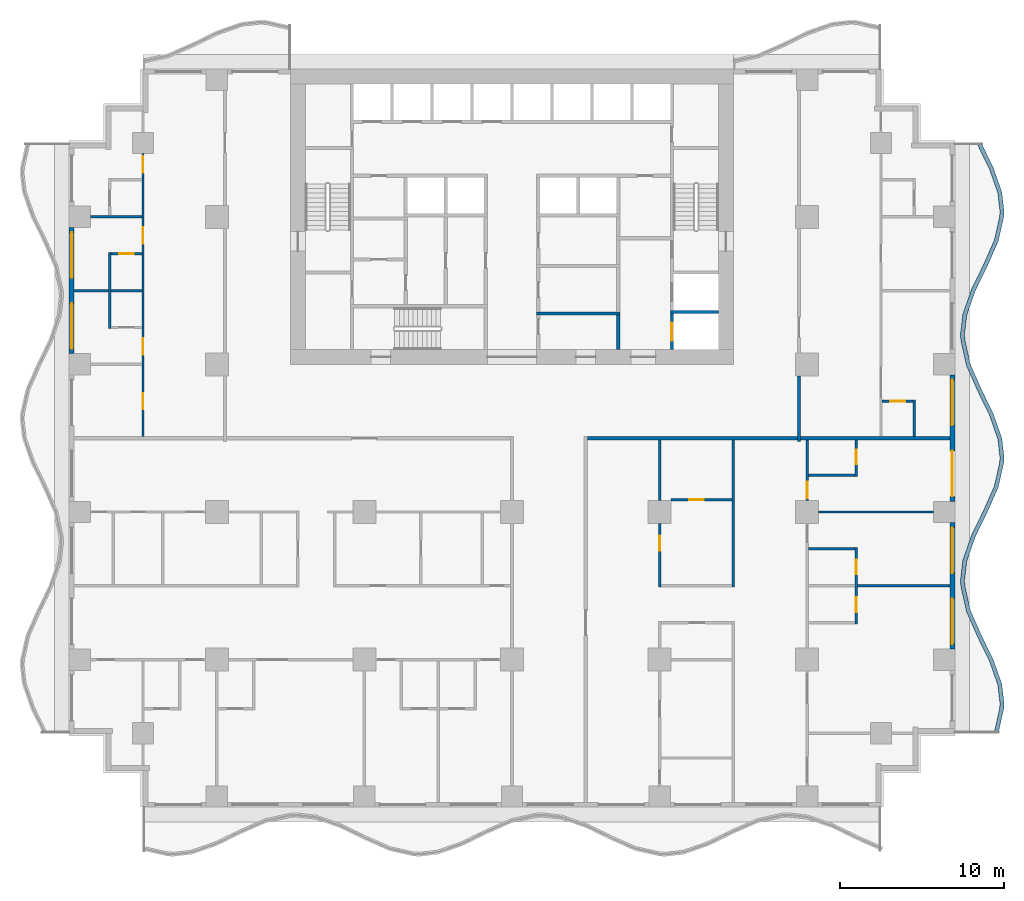
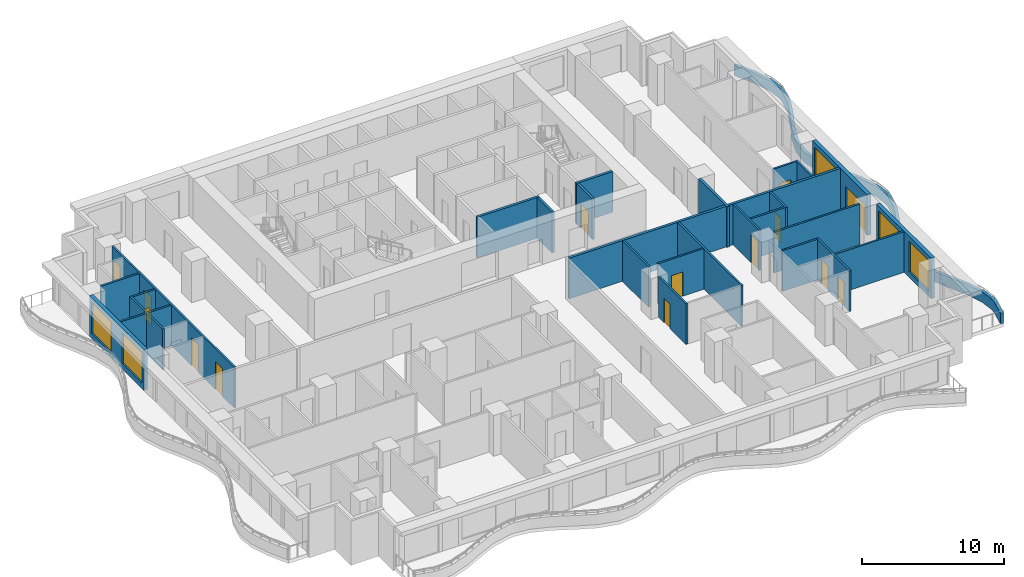
# One storey, part 4 of 14: 30 walls, 14 doors, 5 windows, 19 openings.
"""IFC4 building model written with IfcOpenShell, lengths in metres."""

from ifc_helpers import new_model, si_unit, direction, frame, frame_2d, origin, place, context, subcontext, project, spatial, polyline, rectangle, outline, extrude, material, layer, layer_set, type_object, element, fill, save


model = new_model("IFC4")

# Units and contexts
model_context = context("Model", 3, precision=1e-05, world=origin(), true_north=direction((0.0, 1.0)))
body_context = subcontext(model_context, "Body", "Model", "MODEL_VIEW")
ifc_project = project(units=[si_unit("LENGTHUNIT", "METRE"), si_unit("AREAUNIT", "SQUARE_METRE"), si_unit("VOLUMEUNIT", "CUBIC_METRE"), si_unit("PLANEANGLEUNIT", "RADIAN"), si_unit("MASSUNIT", "GRAM", prefix="KILO")], contexts=[model_context])

# Site, building, storey
site_placement = place(None, origin())
site = spatial("IfcSite", under=ifc_project, at=site_placement, CompositionType="ELEMENT")
building_placement = place(site_placement, origin())
building = spatial("IfcBuilding", under=site, at=building_placement, Name="Orbiselva Terraces", CompositionType="ELEMENT")
storey_placement = place(building_placement, frame((0.0, 0.0, 80.8)))
storey = spatial("IfcBuildingStorey", under=building, at=storey_placement, Name="L20", CompositionType="ELEMENT", Elevation=80.8)

# Walls
ifc_material_1 = material(Name="Concrete C60/75", Category="concrete")
ifc_layer_1 = layer(ifc_material_1, 0.2)
ifc_layer_set_1 = layer_set([ifc_layer_1], Name="Concrete C60/75")
wall_type_1 = type_object("IfcWallType", Name="CORE-WALL-SHEAR-200", PredefinedType="SHEAR", material=ifc_layer_set_1)
wall_1_placement = place(storey_placement, frame((1.5, 7.6, 0.0), z_axis=(0.0, 0.0, 1.0), x_axis=(1.0, 0.0, 0.0)))
element("IfcWall", 1, at=wall_1_placement, inside=storey, type_object=wall_type_1, Name="L20 core wall 30", PredefinedType="SHEAR", context=body_context, shape_type="SweptSolid", body=[
    extrude(rectangle(XDim=5.075, YDim=0.2, at=frame_2d((2.5375, 0.0))), origin(), (0.0, 0.0, 1.0), 3.5),
])
wall_2_placement = place(storey_placement, frame((6.475, 5.4, 0.0), z_axis=(0.0, 0.0, 1.0), x_axis=(0.0, 1.0, 0.0)))
element("IfcWall", 2, at=wall_2_placement, inside=storey, type_object=wall_type_1, Name="L20 core wall 40", PredefinedType="SHEAR", context=body_context, shape_type="SweptSolid", body=[
    extrude(rectangle(XDim=2.1, YDim=0.2, at=frame_2d((1.05, 0.0))), origin(), (0.0, 0.0, 1.0), 3.5),
])

# Wall, opening, door
wall_3_placement = place(storey_placement, frame((9.75, 5.4, 0.0), z_axis=(0.0, 0.0, 1.0), x_axis=(0.0, 1.0, 0.0)))
wall_3 = element("IfcWall", 3, at=wall_3_placement, inside=storey, type_object=wall_type_1, Name="L20 core wall 47", PredefinedType="SHEAR", context=body_context, shape_type="SweptSolid", body=[
    extrude(rectangle(XDim=2.2, YDim=0.2, at=frame_2d((1.1, 0.0))), origin(), (0.0, 0.0, 1.0), 3.5),
])
opening_1_placement = place(wall_3_placement, frame((0.55, 0.0, 0.0)))
opening_1 = element("IfcOpeningElement", 4, at=opening_1_placement, cuts=wall_3, Name="Opening LD-FF1", PredefinedType="OPENING", context=body_context, shape_type="SweptSolid", body=[
    extrude(rectangle(XDim=1.1, YDim=2.1, at=frame_2d((0.55, 1.05))), frame((0.0, 0.11, 0.0), z_axis=(0.0, -1.0, 0.0), x_axis=(1.0, 0.0, 0.0)), (0.0, 0.0, 1.0), 0.22),
])
ifc_material_2 = material(Name="Stainless steel landing door", Category="steel")
door_type_1 = type_object("IfcDoorType", Name="LANDING DOOR 1100", OperationType="SLIDING_TO_LEFT", PredefinedType="DOOR", material=ifc_material_2)
door_1_placement = place(opening_1_placement, origin())
door_1 = element("IfcDoor", 5, at=door_1_placement, inside=storey, type_object=door_type_1, Name="L20 landing door FF1", OperationType="SLIDING_TO_RIGHT", OverallHeight=2.1, OverallWidth=1.1, PredefinedType="DOOR", context=body_context, shape_type="SweptSolid", body=[
    extrude(rectangle(XDim=1.1, YDim=2.1, at=frame_2d((0.55, 1.05))), frame((0.0, 0.025, 0.0), z_axis=(0.0, -1.0, 0.0), x_axis=(1.0, 0.0, 0.0)), (0.0, 0.0, 1.0), 0.05),
])
fill(opening_1, door_1)

# Walls
wall_4_placement = place(storey_placement, frame((9.65, 7.7, 0.0), z_axis=(0.0, 0.0, 1.0), x_axis=(1.0, 0.0, 0.0)))
element("IfcWall", 6, at=wall_4_placement, inside=storey, type_object=wall_type_1, Name="L20 core wall 48", PredefinedType="SHEAR", context=body_context, shape_type="SweptSolid", body=[
    extrude(rectangle(XDim=2.95, YDim=0.2, at=frame_2d((1.475, 0.0))), origin(), (0.0, 0.0, 1.0), 3.5),
])
ifc_material_3 = material(Name="Concrete C40/50", Category="concrete")
ifc_layer_2 = layer(ifc_material_3, 0.25)
ifc_layer_set_2 = layer_set([ifc_layer_2], Name="Concrete C40/50")
wall_type_2 = type_object("IfcWallType", Name="ENV-PLANTER-250x900", PredefinedType="USERDEFINED", material=ifc_layer_set_2)
wall_5_placement = place(storey_placement, origin())
element("IfcWall", 7, at=wall_5_placement, inside=storey, type_object=wall_type_2, Name="Balcony planter L20 E", ObjectType="PLANTER", PredefinedType="USERDEFINED", context=body_context, shape_type="SweptSolid", body=[
    extrude(outline(polyline([(29.648528, -18.0), (29.985226, -16.5), (30.0, -16.125), (29.869208, -15.0), (29.344789, -13.5), (28.612279, -12.0), (27.951472, -10.5), (27.614774, -9.0), (27.6, -8.625), (27.730792, -7.5), (28.255211, -6.0), (28.987721, -4.5), (29.648528, -3.0), (29.985226, -1.5), (30.0, -1.125), (29.869208, 0.0), (29.344789, 1.5), (28.612279, 3.0), (27.951472, 4.5), (27.614774, 6.0), (27.6, 6.375), (27.730792, 7.5), (28.255211, 9.0), (28.987721, 10.5), (29.648528, 12.0), (29.985226, 13.5), (30.0, 13.875), (29.869208, 15.0), (29.344789, 16.5), (28.612279, 18.0), (28.387634, 17.890297), (29.113667, 16.40356), (29.624078, 14.943629), (29.749429, 13.865428), (29.736315, 13.532565), (29.40993, 12.078508), (28.760919, 10.605286), (28.024089, 9.09644), (27.485662, 7.556371), (27.349429, 6.384572), (27.365863, 5.967435), (27.712874, 4.421492), (28.385477, 2.894714), (29.113667, 1.40356), (29.624078, -0.056371), (29.749429, -1.134572), (29.736315, -1.467435), (29.40993, -2.921492), (28.760919, -4.394714), (28.024089, -5.90356), (27.485662, -7.443629), (27.349429, -8.615428), (27.365863, -9.032565), (27.712874, -10.578508), (28.385477, -12.105286), (29.113667, -13.59644), (29.624078, -15.056371), (29.749429, -16.134572), (29.736315, -16.467435), (29.404598, -17.945246), (29.648528, -18.0)])), origin(), (0.0, 0.0, 1.0), 0.9),
])

# Wall, openings, windows
ifc_material_4 = material(Name="Terracotta cladding on masonry backing", Category="masonry")
ifc_layer_3 = layer(ifc_material_4, 0.3)
ifc_layer_set_3 = layer_set([ifc_layer_3], Name="Terracotta cladding on masonry backing")
wall_type_3 = type_object("IfcWallType", Name="ENV-WALL-TERRACOTTA-300", PredefinedType="SOLIDWALL", material=ifc_layer_set_3)
wall_6_placement = place(storey_placement, frame((26.85, -5.15, 0.0), z_axis=(0.0, 0.0, 1.0), x_axis=(0.0, -1.0, 0.0)))
wall_6 = element("IfcWall", 8, at=wall_6_placement, inside=storey, type_object=wall_type_3, Name="Facade wall L20 E", PredefinedType="SOLIDWALL", context=body_context, shape_type="SweptSolid", body=[
    extrude(rectangle(XDim=7.7, YDim=0.3, at=frame_2d((3.85, 0.0))), origin(), (0.0, 0.0, 1.0), 3.5),
])
opening_2_placement = place(wall_6_placement, frame((4.625, 0.0, 0.45)))
opening_2 = element("IfcOpeningElement", 9, at=opening_2_placement, cuts=wall_6, Name="Opening WN6", PredefinedType="OPENING", context=body_context, shape_type="SweptSolid", body=[
    extrude(rectangle(XDim=2.775, YDim=2.65, at=frame_2d((1.3875, 1.325))), frame((0.0, 0.16, 0.0), z_axis=(0.0, -1.0, 0.0), x_axis=(1.0, 0.0, 0.0)), (0.0, 0.0, 1.0), 0.32),
])
opening_3_placement = place(wall_6_placement, frame((0.3, 0.0, 0.45)))
opening_3 = element("IfcOpeningElement", 10, at=opening_3_placement, cuts=wall_6, Name="Opening WN6", PredefinedType="OPENING", context=body_context, shape_type="SweptSolid", body=[
    extrude(rectangle(XDim=2.775, YDim=2.65, at=frame_2d((1.3875, 1.325))), frame((0.0, 0.16, 0.0), z_axis=(0.0, -1.0, 0.0), x_axis=(1.0, 0.0, 0.0)), (0.0, 0.0, 1.0), 0.32),
])
ifc_material_5 = material(Name="Clear low-e glazing in aluminium frame", Category="aluminium")
window_type = type_object("IfcWindowType", Name="WINDOW 2775 X 2650 S450", PartitioningType="TRIPLE_PANEL_VERTICAL", PredefinedType="WINDOW", material=ifc_material_5)
window_1_placement = place(opening_2_placement, origin())
window_1 = element("IfcWindow", 11, at=window_1_placement, inside=storey, type_object=window_type, Name="Window L20 E", OverallHeight=2.65, OverallWidth=2.775, PartitioningType="SINGLE_PANEL", PredefinedType="WINDOW", context=body_context, shape_type="SweptSolid", body=[
    extrude(rectangle(XDim=2.775, YDim=2.65, at=frame_2d((1.3875, 1.325))), frame((0.0, 0.03, 0.0), z_axis=(0.0, -1.0, 0.0), x_axis=(1.0, 0.0, 0.0)), (0.0, 0.0, 1.0), 0.06),
])
fill(opening_2, window_1)
window_2_placement = place(opening_3_placement, origin())
window_2 = element("IfcWindow", 12, at=window_2_placement, inside=storey, type_object=window_type, Name="Window L20 E", OverallHeight=2.65, OverallWidth=2.775, PartitioningType="SINGLE_PANEL", PredefinedType="WINDOW", context=body_context, shape_type="SweptSolid", body=[
    extrude(rectangle(XDim=2.775, YDim=2.65, at=frame_2d((1.3875, 1.325))), frame((0.0, 0.03, 0.0), z_axis=(0.0, -1.0, 0.0), x_axis=(1.0, 0.0, 0.0)), (0.0, 0.0, 1.0), 0.06),
])
fill(opening_3, window_2)

# Wall, openings, door, window
wall_7_placement = place(storey_placement, frame((26.85, 3.85, 0.0), z_axis=(0.0, 0.0, 1.0), x_axis=(0.0, -1.0, 0.0)))
wall_7 = element("IfcWall", 13, at=wall_7_placement, inside=storey, type_object=wall_type_3, Name="Facade wall L20 E", PredefinedType="SOLIDWALL", context=body_context, shape_type="SweptSolid", body=[
    extrude(rectangle(XDim=7.7, YDim=0.3, at=frame_2d((3.85, 0.0))), origin(), (0.0, 0.0, 1.0), 3.5),
])
opening_4_placement = place(wall_7_placement, frame((4.625, 0.0, 0.0)))
opening_4 = element("IfcOpeningElement", 14, at=opening_4_placement, cuts=wall_7, Name="Opening Z2-B-E06", PredefinedType="OPENING", context=body_context, shape_type="SweptSolid", body=[
    extrude(rectangle(XDim=2.775, YDim=2.4, at=frame_2d((1.3875, 1.2))), frame((0.0, 0.16, 0.0), z_axis=(0.0, -1.0, 0.0), x_axis=(1.0, 0.0, 0.0)), (0.0, 0.0, 1.0), 0.32),
])
opening_5_placement = place(wall_7_placement, frame((0.3, 0.0, 0.45)))
opening_5 = element("IfcOpeningElement", 15, at=opening_5_placement, cuts=wall_7, Name="Opening WN6", PredefinedType="OPENING", context=body_context, shape_type="SweptSolid", body=[
    extrude(rectangle(XDim=2.775, YDim=2.65, at=frame_2d((1.3875, 1.325))), frame((0.0, 0.16, 0.0), z_axis=(0.0, -1.0, 0.0), x_axis=(1.0, 0.0, 0.0)), (0.0, 0.0, 1.0), 0.32),
])
door_type_2 = type_object("IfcDoorType", Name="BALCONY DOOR 2775 X 2400", OperationType="DOUBLE_DOOR_SLIDING", PredefinedType="DOOR", material=ifc_material_5)
door_2_placement = place(opening_4_placement, origin())
door_2 = element("IfcDoor", 16, at=door_2_placement, inside=storey, type_object=door_type_2, Name="Z2-B-E06", OperationType="SINGLE_SWING_LEFT", OverallHeight=2.4, OverallWidth=2.775, PredefinedType="DOOR", context=body_context, shape_type="SweptSolid", body=[
    extrude(rectangle(XDim=2.775, YDim=2.4, at=frame_2d((1.3875, 1.2))), frame((0.0, 0.025, 0.0), z_axis=(0.0, -1.0, 0.0), x_axis=(1.0, 0.0, 0.0)), (0.0, 0.0, 1.0), 0.05),
])
fill(opening_4, door_2)
window_3_placement = place(opening_5_placement, origin())
window_3 = element("IfcWindow", 17, at=window_3_placement, inside=storey, type_object=window_type, Name="Window L20 E", OverallHeight=2.65, OverallWidth=2.775, PartitioningType="SINGLE_PANEL", PredefinedType="WINDOW", context=body_context, shape_type="SweptSolid", body=[
    extrude(rectangle(XDim=2.775, YDim=2.65, at=frame_2d((1.3875, 1.325))), frame((0.0, 0.03, 0.0), z_axis=(0.0, -1.0, 0.0), x_axis=(1.0, 0.0, 0.0)), (0.0, 0.0, 1.0), 0.06),
])
fill(opening_5, window_3)

# Wall, openings, windows
wall_8_placement = place(storey_placement, frame((-26.85, 5.15, 0.0), z_axis=(0.0, 0.0, 1.0), x_axis=(0.0, 1.0, 0.0)))
wall_8 = element("IfcWall", 18, at=wall_8_placement, inside=storey, type_object=wall_type_3, Name="Facade wall L20 W", PredefinedType="SOLIDWALL", context=body_context, shape_type="SweptSolid", body=[
    extrude(rectangle(XDim=7.7, YDim=0.3, at=frame_2d((3.85, 0.0))), origin(), (0.0, 0.0, 1.0), 3.5),
])
opening_6_placement = place(wall_8_placement, frame((4.625, 0.0, 0.45)))
opening_6 = element("IfcOpeningElement", 19, at=opening_6_placement, cuts=wall_8, Name="Opening WN6", PredefinedType="OPENING", context=body_context, shape_type="SweptSolid", body=[
    extrude(rectangle(XDim=2.775, YDim=2.65, at=frame_2d((1.3875, 1.325))), frame((0.0, 0.16, 0.0), z_axis=(0.0, -1.0, 0.0), x_axis=(1.0, 0.0, 0.0)), (0.0, 0.0, 1.0), 0.32),
])
opening_7_placement = place(wall_8_placement, frame((0.3, 0.0, 0.45)))
opening_7 = element("IfcOpeningElement", 20, at=opening_7_placement, cuts=wall_8, Name="Opening WN6", PredefinedType="OPENING", context=body_context, shape_type="SweptSolid", body=[
    extrude(rectangle(XDim=2.775, YDim=2.65, at=frame_2d((1.3875, 1.325))), frame((0.0, 0.16, 0.0), z_axis=(0.0, -1.0, 0.0), x_axis=(1.0, 0.0, 0.0)), (0.0, 0.0, 1.0), 0.32),
])
window_4_placement = place(opening_6_placement, origin())
window_4 = element("IfcWindow", 21, at=window_4_placement, inside=storey, type_object=window_type, Name="Window L20 W", OverallHeight=2.65, OverallWidth=2.775, PartitioningType="SINGLE_PANEL", PredefinedType="WINDOW", context=body_context, shape_type="SweptSolid", body=[
    extrude(rectangle(XDim=2.775, YDim=2.65, at=frame_2d((1.3875, 1.325))), frame((0.0, 0.03, 0.0), z_axis=(0.0, -1.0, 0.0), x_axis=(1.0, 0.0, 0.0)), (0.0, 0.0, 1.0), 0.06),
])
fill(opening_6, window_4)
window_5_placement = place(opening_7_placement, origin())
window_5 = element("IfcWindow", 22, at=window_5_placement, inside=storey, type_object=window_type, Name="Window L20 W", OverallHeight=2.65, OverallWidth=2.775, PartitioningType="SINGLE_PANEL", PredefinedType="WINDOW", context=body_context, shape_type="SweptSolid", body=[
    extrude(rectangle(XDim=2.775, YDim=2.65, at=frame_2d((1.3875, 1.325))), frame((0.0, 0.03, 0.0), z_axis=(0.0, -1.0, 0.0), x_axis=(1.0, 0.0, 0.0)), (0.0, 0.0, 1.0), 0.06),
])
fill(opening_7, window_5)

# Walls
ifc_material_6 = material(Name="Plasterboard on steel stud partition", Category="steel")
ifc_layer_4 = layer(ifc_material_6, 0.2)
ifc_layer_set_4 = layer_set([ifc_layer_4], Name="Plasterboard on steel stud partition")
wall_type_4 = type_object("IfcWallType", Name="UNIT-ENTRANCE-WALL-200", PredefinedType="PARTITIONING", material=ifc_layer_set_4)
wall_9_placement = place(storey_placement, frame((4.6, 0.0, 0.0), z_axis=(0.0, 0.0, 1.0), x_axis=(1.0, 0.0, 0.0)))
element("IfcWall", 23, at=wall_9_placement, inside=storey, type_object=wall_type_4, Name="PARTITION L20-028", PredefinedType="PARTITIONING", context=body_context, shape_type="SweptSolid", body=[
    extrude(rectangle(XDim=12.8, YDim=0.2, at=frame_2d((6.4, 0.0))), origin(), (0.0, 0.0, 1.0), 3.5),
])
wall_10_placement = place(storey_placement, frame((17.5, -0.2, 0.0), z_axis=(0.0, 0.0, 1.0), x_axis=(0.0, 1.0, 0.0)))
element("IfcWall", 24, at=wall_10_placement, inside=storey, type_object=wall_type_4, Name="PARTITION L20-075", PredefinedType="PARTITIONING", context=body_context, shape_type="SweptSolid", body=[
    extrude(rectangle(XDim=4.0, YDim=0.2, at=frame_2d((2.0, 0.0))), origin(), (0.0, 0.0, 1.0), 3.5),
])
ifc_layer_5 = layer(ifc_material_6, 0.15)
ifc_layer_set_5 = layer_set([ifc_layer_5], Name="Plasterboard on steel stud partition")
wall_type_5 = type_object("IfcWallType", Name="UNIT-PARTITION-150", PredefinedType="PARTITIONING", material=ifc_layer_set_5)
wall_11_placement = place(storey_placement, frame((21.075, -9.0, 0.0), z_axis=(0.0, 0.0, 1.0), x_axis=(1.0, 0.0, 0.0)))
element("IfcWall", 25, at=wall_11_placement, inside=storey, type_object=wall_type_5, Name="PARTITION L20-018", PredefinedType="PARTITIONING", context=body_context, shape_type="SweptSolid", body=[
    extrude(rectangle(XDim=5.625, YDim=0.15, at=frame_2d((2.8125, 0.0))), origin(), (0.0, 0.0, 1.0), 3.5),
])
wall_12_placement = place(storey_placement, frame((18.075, -6.75, 0.0), z_axis=(0.0, 0.0, 1.0), x_axis=(1.0, 0.0, 0.0)))
element("IfcWall", 26, at=wall_12_placement, inside=storey, type_object=wall_type_5, Name="PARTITION L20-019", PredefinedType="PARTITIONING", context=body_context, shape_type="SweptSolid", body=[
    extrude(rectangle(XDim=2.85, YDim=0.15, at=frame_2d((1.425, 0.0))), origin(), (0.0, 0.0, 1.0), 3.5),
])
wall_13_placement = place(storey_placement, frame((18.7, -4.5, 0.0), z_axis=(0.0, 0.0, 1.0), x_axis=(1.0, 0.0, 0.0)))
element("IfcWall", 27, at=wall_13_placement, inside=storey, type_object=wall_type_5, Name="PARTITION L20-024", PredefinedType="PARTITIONING", context=body_context, shape_type="SweptSolid", body=[
    extrude(rectangle(XDim=7.0, YDim=0.15, at=frame_2d((3.5, 0.0))), origin(), (0.0, 0.0, 1.0), 3.5),
])

# Wall, opening, door
wall_14_placement = place(storey_placement, frame((9.7, -3.75, 0.0), z_axis=(0.0, 0.0, 1.0), x_axis=(1.0, 0.0, 0.0)))
wall_14 = element("IfcWall", 28, at=wall_14_placement, inside=storey, type_object=wall_type_5, Name="PARTITION L20-025", PredefinedType="PARTITIONING", context=body_context, shape_type="SweptSolid", body=[
    extrude(rectangle(XDim=3.725, YDim=0.15, at=frame_2d((1.8625, 0.0))), origin(), (0.0, 0.0, 1.0), 3.5),
])
opening_8_placement = place(wall_14_placement, frame((1.1, 0.0, 0.0)))
opening_8 = element("IfcOpeningElement", 29, at=opening_8_placement, cuts=wall_14, Name="Opening Z2-B-37", PredefinedType="OPENING", context=body_context, shape_type="SweptSolid", body=[
    extrude(rectangle(XDim=0.9, YDim=2.1, at=frame_2d((0.45, 1.05))), frame((0.0, 0.085, 0.0), z_axis=(0.0, -1.0, 0.0), x_axis=(1.0, 0.0, 0.0)), (0.0, 0.0, 1.0), 0.17),
])
ifc_material_7 = material(Name="Painted timber door leaf", Category="wood")
door_type_3 = type_object("IfcDoorType", Name="BATH DOOR 900", OperationType="NOTDEFINED", PredefinedType="DOOR", material=ifc_material_7)
door_3_placement = place(opening_8_placement, origin())
door_3 = element("IfcDoor", 30, at=door_3_placement, inside=storey, type_object=door_type_3, Name="Z2-B-37", OperationType="SINGLE_SWING_LEFT", OverallHeight=2.1, OverallWidth=0.9, PredefinedType="DOOR", context=body_context, shape_type="SweptSolid", body=[
    extrude(rectangle(XDim=0.9, YDim=2.1, at=frame_2d((0.45, 1.05))), frame((0.0, 0.025, 0.0), z_axis=(0.0, -1.0, 0.0), x_axis=(1.0, 0.0, 0.0)), (0.0, 0.0, 1.0), 0.05),
])
fill(opening_8, door_3)

# Wall
wall_15_placement = place(storey_placement, frame((18.075, -2.25, 0.0), z_axis=(0.0, 0.0, 1.0), x_axis=(1.0, 0.0, 0.0)))
element("IfcWall", 31, at=wall_15_placement, inside=storey, type_object=wall_type_5, Name="PARTITION L20-026", PredefinedType="PARTITIONING", context=body_context, shape_type="SweptSolid", body=[
    extrude(rectangle(XDim=2.85, YDim=0.15, at=frame_2d((1.425, 0.0))), origin(), (0.0, 0.0, 1.0), 3.5),
])

# Wall, opening, door
wall_16_placement = place(storey_placement, frame((24.45, 2.25, 0.0), z_axis=(0.0, 0.0, 1.0), x_axis=(-1.0, 0.0, 0.0)))
wall_16 = element("IfcWall", 32, at=wall_16_placement, inside=storey, type_object=wall_type_5, Name="PARTITION L20-031", PredefinedType="PARTITIONING", context=body_context, shape_type="SweptSolid", body=[
    extrude(rectangle(XDim=1.875, YDim=0.15, at=frame_2d((0.9375, 0.0))), origin(), (0.0, 0.0, 1.0), 3.5),
])
opening_9_placement = place(wall_16_placement, frame((0.475, 0.0, 0.0)))
opening_9 = element("IfcOpeningElement", 33, at=opening_9_placement, cuts=wall_16, Name="Opening Z2-B-11", PredefinedType="OPENING", context=body_context, shape_type="SweptSolid", body=[
    extrude(rectangle(XDim=0.9, YDim=2.1, at=frame_2d((0.45, 1.05))), frame((0.0, 0.085, 0.0), z_axis=(0.0, -1.0, 0.0), x_axis=(1.0, 0.0, 0.0)), (0.0, 0.0, 1.0), 0.17),
])
door_4_placement = place(opening_9_placement, origin())
door_4 = element("IfcDoor", 34, at=door_4_placement, inside=storey, type_object=door_type_3, Name="Z2-B-11", OperationType="SINGLE_SWING_LEFT", OverallHeight=2.1, OverallWidth=0.9, PredefinedType="DOOR", context=body_context, shape_type="SweptSolid", body=[
    extrude(rectangle(XDim=0.9, YDim=2.1, at=frame_2d((0.45, 1.05))), frame((0.0, 0.025, 0.0), z_axis=(0.0, -1.0, 0.0), x_axis=(1.0, 0.0, 0.0)), (0.0, 0.0, 1.0), 0.05),
])
fill(opening_9, door_4)

# Walls
wall_17_placement = place(storey_placement, frame((-26.7, 9.0, 0.0), z_axis=(0.0, 0.0, 1.0), x_axis=(1.0, 0.0, 0.0)))
element("IfcWall", 35, at=wall_17_placement, inside=storey, type_object=wall_type_5, Name="PARTITION L20-034", PredefinedType="PARTITIONING", context=body_context, shape_type="SweptSolid", body=[
    extrude(rectangle(XDim=2.1, YDim=0.15, at=frame_2d((1.05, 0.0))), origin(), (0.0, 0.0, 1.0), 3.5),
])
wall_18_placement = place(storey_placement, frame((-24.45, 9.0, 0.0), z_axis=(0.0, 0.0, 1.0), x_axis=(1.0, 0.0, 0.0)))
element("IfcWall", 36, at=wall_18_placement, inside=storey, type_object=wall_type_5, Name="PARTITION L20-035", PredefinedType="PARTITIONING", context=body_context, shape_type="SweptSolid", body=[
    extrude(rectangle(XDim=1.875, YDim=0.15, at=frame_2d((0.9375, 0.0))), origin(), (0.0, 0.0, 1.0), 3.5),
])

# Wall, opening, door
wall_19_placement = place(storey_placement, frame((-22.575, 11.25, 0.0), z_axis=(0.0, 0.0, 1.0), x_axis=(-1.0, 0.0, 0.0)))
wall_19 = element("IfcWall", 37, at=wall_19_placement, inside=storey, type_object=wall_type_5, Name="PARTITION L20-037", PredefinedType="PARTITIONING", context=body_context, shape_type="SweptSolid", body=[
    extrude(rectangle(XDim=1.875, YDim=0.15, at=frame_2d((0.9375, 0.0))), origin(), (0.0, 0.0, 1.0), 3.5),
])
opening_10_placement = place(wall_19_placement, frame((0.475, 0.0, 0.0)))
opening_10 = element("IfcOpeningElement", 38, at=opening_10_placement, cuts=wall_19, Name="Opening Z2-B-06", PredefinedType="OPENING", context=body_context, shape_type="SweptSolid", body=[
    extrude(rectangle(XDim=0.9, YDim=2.1, at=frame_2d((0.45, 1.05))), frame((0.0, 0.085, 0.0), z_axis=(0.0, -1.0, 0.0), x_axis=(1.0, 0.0, 0.0)), (0.0, 0.0, 1.0), 0.17),
])
door_5_placement = place(opening_10_placement, origin())
door_5 = element("IfcDoor", 39, at=door_5_placement, inside=storey, type_object=door_type_3, Name="Z2-B-06", OperationType="SINGLE_SWING_LEFT", OverallHeight=2.1, OverallWidth=0.9, PredefinedType="DOOR", context=body_context, shape_type="SweptSolid", body=[
    extrude(rectangle(XDim=0.9, YDim=2.1, at=frame_2d((0.45, 1.05))), frame((0.0, 0.025, 0.0), z_axis=(0.0, -1.0, 0.0), x_axis=(1.0, 0.0, 0.0)), (0.0, 0.0, 1.0), 0.05),
])
fill(opening_10, door_5)

# Walls
wall_20_placement = place(storey_placement, frame((-25.7, 13.5, 0.0), z_axis=(0.0, 0.0, 1.0), x_axis=(1.0, 0.0, 0.0)))
element("IfcWall", 40, at=wall_20_placement, inside=storey, type_object=wall_type_5, Name="PARTITION L20-038", PredefinedType="PARTITIONING", context=body_context, shape_type="SweptSolid", body=[
    extrude(rectangle(XDim=3.125, YDim=0.15, at=frame_2d((1.5625, 0.0))), origin(), (0.0, 0.0, 1.0), 3.5),
])
wall_21_placement = place(storey_placement, frame((-24.525, 6.675, 0.0), z_axis=(0.0, 0.0, 1.0), x_axis=(0.0, 1.0, 0.0)))
element("IfcWall", 41, at=wall_21_placement, inside=storey, type_object=wall_type_5, Name="PARTITION L20-042", PredefinedType="PARTITIONING", context=body_context, shape_type="SweptSolid", body=[
    extrude(rectangle(XDim=4.65, YDim=0.15, at=frame_2d((2.325, 0.0))), origin(), (0.0, 0.0, 1.0), 3.5),
])

# Wall, openings, doors
wall_22_placement = place(storey_placement, frame((-22.5, 0.1, 0.0), z_axis=(0.0, 0.0, 1.0), x_axis=(0.0, 1.0, 0.0)))
wall_22 = element("IfcWall", 42, at=wall_22_placement, inside=storey, type_object=wall_type_5, Name="PARTITION L20-047", PredefinedType="PARTITIONING", context=body_context, shape_type="SweptSolid", body=[
    extrude(rectangle(XDim=17.25, YDim=0.15, at=frame_2d((8.625, 0.0))), origin(), (0.0, 0.0, 1.0), 3.5),
])
opening_11_placement = place(wall_22_placement, frame((1.65, 0.0, 0.0)))
opening_11 = element("IfcOpeningElement", 43, at=opening_11_placement, cuts=wall_22, Name="Opening Z2-B-02", PredefinedType="OPENING", context=body_context, shape_type="SweptSolid", body=[
    extrude(rectangle(XDim=1.0, YDim=2.4, at=frame_2d((0.5, 1.2))), frame((0.0, 0.085, 0.0), z_axis=(0.0, -1.0, 0.0), x_axis=(1.0, 0.0, 0.0)), (0.0, 0.0, 1.0), 0.17),
])
opening_12_placement = place(wall_22_placement, frame((5.0, 0.0, 0.0)))
opening_12 = element("IfcOpeningElement", 44, at=opening_12_placement, cuts=wall_22, Name="Opening Z2-B-03", PredefinedType="OPENING", context=body_context, shape_type="SweptSolid", body=[
    extrude(rectangle(XDim=1.0, YDim=2.4, at=frame_2d((0.5, 1.2))), frame((0.0, 0.085, 0.0), z_axis=(0.0, -1.0, 0.0), x_axis=(1.0, 0.0, 0.0)), (0.0, 0.0, 1.0), 0.17),
])
opening_13_placement = place(wall_22_placement, frame((11.75, 0.0, 0.0)))
opening_13 = element("IfcOpeningElement", 45, at=opening_13_placement, cuts=wall_22, Name="Opening Z2-B-05", PredefinedType="OPENING", context=body_context, shape_type="SweptSolid", body=[
    extrude(rectangle(XDim=1.0, YDim=2.4, at=frame_2d((0.5, 1.2))), frame((0.0, 0.085, 0.0), z_axis=(0.0, -1.0, 0.0), x_axis=(1.0, 0.0, 0.0)), (0.0, 0.0, 1.0), 0.17),
])
opening_14_placement = place(wall_22_placement, frame((16.1, 0.0, 0.0)))
opening_14 = element("IfcOpeningElement", 46, at=opening_14_placement, cuts=wall_22, Name="Opening Z2-B-07", PredefinedType="OPENING", context=body_context, shape_type="SweptSolid", body=[
    extrude(rectangle(XDim=1.0, YDim=2.4, at=frame_2d((0.5, 1.2))), frame((0.0, 0.085, 0.0), z_axis=(0.0, -1.0, 0.0), x_axis=(1.0, 0.0, 0.0)), (0.0, 0.0, 1.0), 0.17),
])
door_type_4 = type_object("IfcDoorType", Name="ROOM DOOR 1000", OperationType="NOTDEFINED", PredefinedType="DOOR", material=ifc_material_7)
door_6_placement = place(opening_11_placement, origin())
door_6 = element("IfcDoor", 47, at=door_6_placement, inside=storey, type_object=door_type_4, Name="Z2-B-02", OperationType="SINGLE_SWING_LEFT", OverallHeight=2.4, OverallWidth=1.0, PredefinedType="DOOR", context=body_context, shape_type="SweptSolid", body=[
    extrude(rectangle(XDim=1.0, YDim=2.4, at=frame_2d((0.5, 1.2))), frame((0.0, 0.025, 0.0), z_axis=(0.0, -1.0, 0.0), x_axis=(1.0, 0.0, 0.0)), (0.0, 0.0, 1.0), 0.05),
])
fill(opening_11, door_6)
door_7_placement = place(opening_12_placement, origin())
door_7 = element("IfcDoor", 48, at=door_7_placement, inside=storey, type_object=door_type_4, Name="Z2-B-03", OperationType="SINGLE_SWING_LEFT", OverallHeight=2.4, OverallWidth=1.0, PredefinedType="DOOR", context=body_context, shape_type="SweptSolid", body=[
    extrude(rectangle(XDim=1.0, YDim=2.4, at=frame_2d((0.5, 1.2))), frame((0.0, 0.025, 0.0), z_axis=(0.0, -1.0, 0.0), x_axis=(1.0, 0.0, 0.0)), (0.0, 0.0, 1.0), 0.05),
])
fill(opening_12, door_7)
door_8_placement = place(opening_13_placement, origin())
door_8 = element("IfcDoor", 49, at=door_8_placement, inside=storey, type_object=door_type_4, Name="Z2-B-05", OperationType="SINGLE_SWING_RIGHT", OverallHeight=2.4, OverallWidth=1.0, PredefinedType="DOOR", context=body_context, shape_type="SweptSolid", body=[
    extrude(rectangle(XDim=1.0, YDim=2.4, at=frame_2d((0.5, 1.2))), frame((0.0, 0.025, 0.0), z_axis=(0.0, -1.0, 0.0), x_axis=(1.0, 0.0, 0.0)), (0.0, 0.0, 1.0), 0.05),
])
fill(opening_13, door_8)
door_9_placement = place(opening_14_placement, origin())
door_9 = element("IfcDoor", 50, at=door_9_placement, inside=storey, type_object=door_type_4, Name="Z2-B-07", OperationType="SINGLE_SWING_RIGHT", OverallHeight=2.4, OverallWidth=1.0, PredefinedType="DOOR", context=body_context, shape_type="SweptSolid", body=[
    extrude(rectangle(XDim=1.0, YDim=2.4, at=frame_2d((0.5, 1.2))), frame((0.0, 0.025, 0.0), z_axis=(0.0, -1.0, 0.0), x_axis=(1.0, 0.0, 0.0)), (0.0, 0.0, 1.0), 0.05),
])
fill(opening_14, door_9)

# Wall, opening, door
wall_23_placement = place(storey_placement, frame((9.0, -5.2, 0.0), z_axis=(0.0, 0.0, 1.0), x_axis=(0.0, -1.0, 0.0)))
wall_23 = element("IfcWall", 51, at=wall_23_placement, inside=storey, type_object=wall_type_5, Name="PARTITION L20-071", PredefinedType="PARTITIONING", context=body_context, shape_type="SweptSolid", body=[
    extrude(rectangle(XDim=3.875, YDim=0.15, at=frame_2d((1.9375, 0.0))), origin(), (0.0, 0.0, 1.0), 3.5),
])
opening_15_placement = place(wall_23_placement, frame((0.75, 0.0, 0.0)))
opening_15 = element("IfcOpeningElement", 52, at=opening_15_placement, cuts=wall_23, Name="Opening Z2-B-36", PredefinedType="OPENING", context=body_context, shape_type="SweptSolid", body=[
    extrude(rectangle(XDim=0.9, YDim=2.1, at=frame_2d((0.45, 1.05))), frame((0.0, 0.085, 0.0), z_axis=(0.0, -1.0, 0.0), x_axis=(1.0, 0.0, 0.0)), (0.0, 0.0, 1.0), 0.17),
])
door_type_5 = type_object("IfcDoorType", Name="SERVICE DOOR 900", OperationType="NOTDEFINED", PredefinedType="DOOR", material=ifc_material_7)
door_10_placement = place(opening_15_placement, origin())
door_10 = element("IfcDoor", 53, at=door_10_placement, inside=storey, type_object=door_type_5, Name="Z2-B-36", OperationType="SINGLE_SWING_LEFT", OverallHeight=2.1, OverallWidth=0.9, PredefinedType="DOOR", context=body_context, shape_type="SweptSolid", body=[
    extrude(rectangle(XDim=0.9, YDim=2.1, at=frame_2d((0.45, 1.05))), frame((0.0, 0.025, 0.0), z_axis=(0.0, -1.0, 0.0), x_axis=(1.0, 0.0, 0.0)), (0.0, 0.0, 1.0), 0.05),
])
fill(opening_15, door_10)

# Walls
wall_24_placement = place(storey_placement, frame((9.0, -3.8, 0.0), z_axis=(0.0, 0.0, 1.0), x_axis=(0.0, 1.0, 0.0)))
element("IfcWall", 54, at=wall_24_placement, inside=storey, type_object=wall_type_5, Name="PARTITION L20-072", PredefinedType="PARTITIONING", context=body_context, shape_type="SweptSolid", body=[
    extrude(rectangle(XDim=3.7, YDim=0.15, at=frame_2d((1.85, 0.0))), origin(), (0.0, 0.0, 1.0), 3.5),
])
wall_25_placement = place(storey_placement, frame((13.5, -9.075, 0.0), z_axis=(0.0, 0.0, 1.0), x_axis=(0.0, 1.0, 0.0)))
element("IfcWall", 55, at=wall_25_placement, inside=storey, type_object=wall_type_5, Name="PARTITION L20-074", PredefinedType="PARTITIONING", context=body_context, shape_type="SweptSolid", body=[
    extrude(rectangle(XDim=8.975, YDim=0.15, at=frame_2d((4.4875, 0.0))), origin(), (0.0, 0.0, 1.0), 3.5),
])

# Wall, opening, door
wall_26_placement = place(storey_placement, frame((18.0, -0.1, 0.0), z_axis=(0.0, 0.0, 1.0), x_axis=(0.0, -1.0, 0.0)))
wall_26 = element("IfcWall", 56, at=wall_26_placement, inside=storey, type_object=wall_type_5, Name="PARTITION L20-080", PredefinedType="PARTITIONING", context=body_context, shape_type="SweptSolid", body=[
    extrude(rectangle(XDim=3.7, YDim=0.15, at=frame_2d((1.85, 0.0))), origin(), (0.0, 0.0, 1.0), 3.5),
])
opening_16_placement = place(wall_26_placement, frame((2.55, 0.0, 0.0)))
opening_16 = element("IfcOpeningElement", 57, at=opening_16_placement, cuts=wall_26, Name="Opening Z2-B-43", PredefinedType="OPENING", context=body_context, shape_type="SweptSolid", body=[
    extrude(rectangle(XDim=1.0, YDim=2.4, at=frame_2d((0.5, 1.2))), frame((0.0, 0.085, 0.0), z_axis=(0.0, -1.0, 0.0), x_axis=(1.0, 0.0, 0.0)), (0.0, 0.0, 1.0), 0.17),
])
door_11_placement = place(opening_16_placement, origin())
door_11 = element("IfcDoor", 58, at=door_11_placement, inside=storey, type_object=door_type_4, Name="Z2-B-43", OperationType="SINGLE_SWING_RIGHT", OverallHeight=2.4, OverallWidth=1.0, PredefinedType="DOOR", context=body_context, shape_type="SweptSolid", body=[
    extrude(rectangle(XDim=1.0, YDim=2.4, at=frame_2d((0.5, 1.2))), frame((0.0, 0.025, 0.0), z_axis=(0.0, -1.0, 0.0), x_axis=(1.0, 0.0, 0.0)), (0.0, 0.0, 1.0), 0.05),
])
fill(opening_16, door_11)

# Wall, openings, doors
wall_27_placement = place(storey_placement, frame((21.0, -11.325, 0.0), z_axis=(0.0, 0.0, 1.0), x_axis=(0.0, 1.0, 0.0)))
wall_27 = element("IfcWall", 59, at=wall_27_placement, inside=storey, type_object=wall_type_5, Name="PARTITION L20-081", PredefinedType="PARTITIONING", context=body_context, shape_type="SweptSolid", body=[
    extrude(rectangle(XDim=4.65, YDim=0.15, at=frame_2d((2.325, 0.0))), origin(), (0.0, 0.0, 1.0), 3.5),
])
opening_17_placement = place(wall_27_placement, frame((0.725, 0.0, 0.0)))
opening_17 = element("IfcOpeningElement", 60, at=opening_17_placement, cuts=wall_27, Name="Opening Z2-B-40", PredefinedType="OPENING", context=body_context, shape_type="SweptSolid", body=[
    extrude(rectangle(XDim=0.9, YDim=2.1, at=frame_2d((0.45, 1.05))), frame((0.0, 0.085, 0.0), z_axis=(0.0, -1.0, 0.0), x_axis=(1.0, 0.0, 0.0)), (0.0, 0.0, 1.0), 0.17),
])
opening_18_placement = place(wall_27_placement, frame((3.025, 0.0, 0.0)))
opening_18 = element("IfcOpeningElement", 61, at=opening_18_placement, cuts=wall_27, Name="Opening Z2-B-42", PredefinedType="OPENING", context=body_context, shape_type="SweptSolid", body=[
    extrude(rectangle(XDim=0.9, YDim=2.1, at=frame_2d((0.45, 1.05))), frame((0.0, 0.085, 0.0), z_axis=(0.0, -1.0, 0.0), x_axis=(1.0, 0.0, 0.0)), (0.0, 0.0, 1.0), 0.17),
])
door_12_placement = place(opening_17_placement, origin())
door_12 = element("IfcDoor", 62, at=door_12_placement, inside=storey, type_object=door_type_3, Name="Z2-B-40", OperationType="SINGLE_SWING_LEFT", OverallHeight=2.1, OverallWidth=0.9, PredefinedType="DOOR", context=body_context, shape_type="SweptSolid", body=[
    extrude(rectangle(XDim=0.9, YDim=2.1, at=frame_2d((0.45, 1.05))), frame((0.0, 0.025, 0.0), z_axis=(0.0, -1.0, 0.0), x_axis=(1.0, 0.0, 0.0)), (0.0, 0.0, 1.0), 0.05),
])
fill(opening_17, door_12)
door_13_placement = place(opening_18_placement, origin())
door_13 = element("IfcDoor", 63, at=door_13_placement, inside=storey, type_object=door_type_3, Name="Z2-B-42", OperationType="SINGLE_SWING_RIGHT", OverallHeight=2.1, OverallWidth=0.9, PredefinedType="DOOR", context=body_context, shape_type="SweptSolid", body=[
    extrude(rectangle(XDim=0.9, YDim=2.1, at=frame_2d((0.45, 1.05))), frame((0.0, 0.025, 0.0), z_axis=(0.0, -1.0, 0.0), x_axis=(1.0, 0.0, 0.0)), (0.0, 0.0, 1.0), 0.05),
])
fill(opening_18, door_13)

# Wall, opening, door
wall_28_placement = place(storey_placement, frame((21.0, -2.325, 0.0), z_axis=(0.0, 0.0, 1.0), x_axis=(0.0, 1.0, 0.0)))
wall_28 = element("IfcWall", 64, at=wall_28_placement, inside=storey, type_object=wall_type_5, Name="PARTITION L20-082", PredefinedType="PARTITIONING", context=body_context, shape_type="SweptSolid", body=[
    extrude(rectangle(XDim=2.225, YDim=0.15, at=frame_2d((1.1125, 0.0))), origin(), (0.0, 0.0, 1.0), 3.5),
])
opening_19_placement = place(wall_28_placement, frame((0.725, 0.0, 0.0)))
opening_19 = element("IfcOpeningElement", 65, at=opening_19_placement, cuts=wall_28, Name="Opening Z2-B-44", PredefinedType="OPENING", context=body_context, shape_type="SweptSolid", body=[
    extrude(rectangle(XDim=0.9, YDim=2.1, at=frame_2d((0.45, 1.05))), frame((0.0, 0.085, 0.0), z_axis=(0.0, -1.0, 0.0), x_axis=(1.0, 0.0, 0.0)), (0.0, 0.0, 1.0), 0.17),
])
door_14_placement = place(opening_19_placement, origin())
door_14 = element("IfcDoor", 66, at=door_14_placement, inside=storey, type_object=door_type_3, Name="Z2-B-44", OperationType="SINGLE_SWING_RIGHT", OverallHeight=2.1, OverallWidth=0.9, PredefinedType="DOOR", context=body_context, shape_type="SweptSolid", body=[
    extrude(rectangle(XDim=0.9, YDim=2.1, at=frame_2d((0.45, 1.05))), frame((0.0, 0.025, 0.0), z_axis=(0.0, -1.0, 0.0), x_axis=(1.0, 0.0, 0.0)), (0.0, 0.0, 1.0), 0.05),
])
fill(opening_19, door_14)

# Walls
wall_29_placement = place(storey_placement, frame((24.525, 0.1, 0.0), z_axis=(0.0, 0.0, 1.0), x_axis=(0.0, 1.0, 0.0)))
element("IfcWall", 67, at=wall_29_placement, inside=storey, type_object=wall_type_5, Name="PARTITION L20-085", PredefinedType="PARTITIONING", context=body_context, shape_type="SweptSolid", body=[
    extrude(rectangle(XDim=2.225, YDim=0.15, at=frame_2d((1.1125, 0.0))), origin(), (0.0, 0.0, 1.0), 3.5),
])
ifc_layer_6 = layer(ifc_material_6, 0.2)
ifc_layer_set_6 = layer_set([ifc_layer_6], Name="Plasterboard on steel stud partition")
wall_type_6 = type_object("IfcWallType", Name="UNIT-PARTY-WALL-200", PredefinedType="PARTITIONING", material=ifc_layer_set_6)
wall_30_placement = place(storey_placement, frame((17.6, 0.0, 0.0), z_axis=(0.0, 0.0, 1.0), x_axis=(1.0, 0.0, 0.0)))
element("IfcWall", 68, at=wall_30_placement, inside=storey, type_object=wall_type_6, Name="PARTITION L20-030", PredefinedType="PARTITIONING", context=body_context, shape_type="SweptSolid", body=[
    extrude(rectangle(XDim=9.1, YDim=0.2, at=frame_2d((4.55, 0.0))), origin(), (0.0, 0.0, 1.0), 3.5),
])

save(model, "model.ifc")
